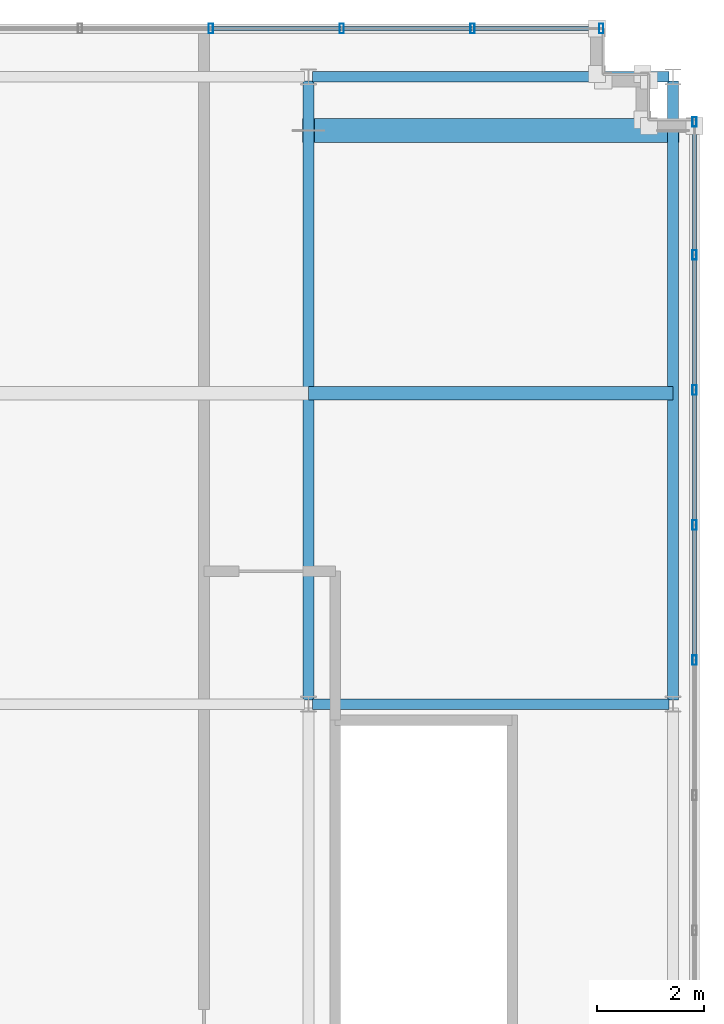
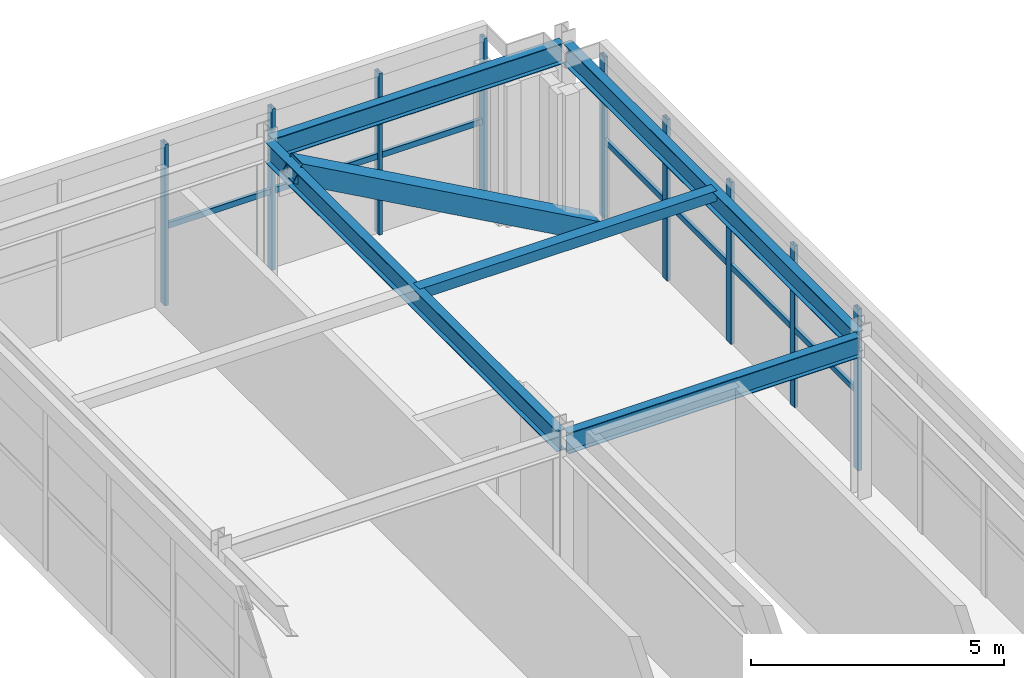
# One storey, part 17 of 25: 18 members, 4 beams, 2 elements without a shape of their own.
"""IFC4 building model written with IfcOpenShell, lengths in metres."""

from ifc_helpers import new_model, si_unit, direction, frame, origin, origin_2d, place, context, subcontext, project, spatial, hollow_rectangle, i_section, extrude, source, transform, mapped, material, material_profile, profile_set, type_object, element, aggregate, save


model = new_model("IFC4")

# Units and contexts
model_context = context("Model", 3, precision=1e-05, world=origin(), true_north=direction((0.0, 1.0)))
body_context = subcontext(model_context, "Body", "Model", "MODEL_VIEW")
ifc_project = project(units=[si_unit("LENGTHUNIT", "METRE"), si_unit("AREAUNIT", "SQUARE_METRE"), si_unit("VOLUMEUNIT", "CUBIC_METRE"), si_unit("PLANEANGLEUNIT", "RADIAN"), si_unit("MASSUNIT", "GRAM", prefix="KILO")], contexts=[model_context])

# Site, building, storey
site_placement = place(None, origin())
site = spatial("IfcSite", under=ifc_project, at=site_placement, CompositionType="ELEMENT")
building_placement = place(site_placement, origin())
building = spatial("IfcBuilding", under=site, at=building_placement, Name="Trelvane Seafront Commons", CompositionType="ELEMENT")
storey_placement = place(building_placement, frame((0.0, 0.0, 320.89990234375)))
storey = spatial("IfcBuildingStorey", under=building, at=storey_placement, Name="L83", CompositionType="ELEMENT", Elevation=320.89990234375)

# Beams
ifc_material_1 = material(Name="Steel SM355 (S355)", Category="steel")
ifc_material_profile_1 = material_profile(ifc_material_1, i_section(OverallWidth=0.199951171875, OverallDepth=0.5, WebThickness=0.010009765625, FlangeThickness=0.01611328125, at=origin_2d()), Name="H-500x200x10x16")
ifc_profile_set_1 = profile_set([ifc_material_profile_1], Name="Steel SM355 (S355)")
beam_type_1 = type_object("IfcBeamType", Name="STR-CROWN-FRAME-RING", PredefinedType="SPANDREL", material=ifc_profile_set_1)
shared_shape_1 = source(origin(), body_context, "Body", "SweptSolid", [
    extrude(i_section(OverallWidth=0.199951171875, OverallDepth=0.5, WebThickness=0.010009765625, FlangeThickness=0.01611328125, at=origin_2d()), origin(), (0.0, 0.0, 1.0), 6.64990234375),
])
for number, where, z_axis, x_axis, name in (
    (1, (58.875, 33.39990234375, 3.650146484375), (1.0, 0.0, 0.0), (0.0, 1.0, 0.0), "L83 CROWN FRAME Ring Beam G-08"),
    (2, (58.875, 45.10009765625, 3.650146484375), (1.0, 0.0, 0.0), (0.0, 1.0, 0.0), "L83 CROWN FRAME Ring Beam G-12"),
):
    element("IfcBeam", number, at=place(storey_placement, frame(where, z_axis=z_axis, x_axis=x_axis)), inside=storey, type_object=beam_type_1, Name=name, PredefinedType="SPANDREL", context=body_context, shape_type="MappedRepresentation", body=[
        mapped(shared_shape_1, transform((0.0, 0.0, 0.0), x_axis=(1.0, 0.0, 0.0), y_axis=(0.0, 1.0, 0.0), z_axis=(0.0, 0.0, 1.0), scale=1.0)),
    ])
ifc_material_profile_2 = material_profile(ifc_material_1, i_section(OverallWidth=0.199951171875, OverallDepth=0.5, WebThickness=0.010009765625, FlangeThickness=0.01611328125, at=origin_2d()), Name="H-500x200x10x16")
ifc_profile_set_2 = profile_set([ifc_material_profile_2], Name="Steel SM355 (S355)")
beam_type_2 = type_object("IfcBeamType", Name="STR-BM-H500", PredefinedType="BEAM", material=ifc_profile_set_2)
shared_shape_2 = source(origin(), body_context, "Body", "SweptSolid", [
    extrude(i_section(OverallWidth=0.199951171875, OverallDepth=0.5, WebThickness=0.010009765625, FlangeThickness=0.01611328125, at=origin_2d()), origin(), (0.0, 0.0, 1.0), 11.5498046875),
])
for number, where, z_axis, x_axis, name in (
    (3, (58.800048828125, 33.47509765625, 3.650146484375), (0.0, 1.0, 0.0), (-1.0, 0.0, 0.0), "L83 Primary Girder G-22"),
    (4, (65.60009765625, 33.47509765625, 3.650146484375), (0.0, 1.0, 0.0), (-1.0, 0.0, 0.0), "L83 Primary Girder G-24"),
):
    element("IfcBeam", number, at=place(storey_placement, frame(where, z_axis=z_axis, x_axis=x_axis)), inside=storey, type_object=beam_type_2, Name=name, PredefinedType="BEAM", context=body_context, shape_type="MappedRepresentation", body=[
        mapped(shared_shape_2, transform((0.0, 0.0, 0.0), x_axis=(1.0, 0.0, 0.0), y_axis=(0.0, 1.0, 0.0), z_axis=(0.0, 0.0, 1.0), scale=1.0)),
    ])

# Members
ifc_material_profile_3 = material_profile(ifc_material_1, hollow_rectangle(XDim=0.25, YDim=0.25, WallThickness=0.010009765625, at=origin_2d()), Name="RHS-250x250x10")
ifc_profile_set_3 = profile_set([ifc_material_profile_3], Name="Steel SM355 (S355)")
member_type_1 = type_object("IfcMemberType", Name="STR-PUR-RHS250", PredefinedType="PURLIN", material=ifc_profile_set_3)
shared_shape_3 = source(origin(), body_context, "Body", "SweptSolid", [
    extrude(hollow_rectangle(XDim=0.25, YDim=0.25, WallThickness=0.010009765625, at=origin_2d()), origin(), (0.0, 0.0, 1.0), 6.800048828125),
])
member_1_placement = place(storey_placement, frame((58.800048828125, 39.199951171875, 3.775146484375), z_axis=(1.0, 0.0, 0.0), x_axis=(0.0, 1.0, 0.0)))
element("IfcMember", 5, at=member_1_placement, inside=storey, type_object=member_type_1, Name="L83 Crown Roof Purlin PR-1", PredefinedType="PURLIN", context=body_context, shape_type="MappedRepresentation", body=[
    mapped(shared_shape_3, transform((0.0, 0.0, 0.0), x_axis=(1.0, 0.0, 0.0), y_axis=(0.0, 1.0, 0.0), z_axis=(0.0, 0.0, 1.0), scale=1.0)),
])
ifc_material_profile_4 = material_profile(ifc_material_1, hollow_rectangle(XDim=0.449951171875, YDim=0.449951171875, WallThickness=0.02001953125, at=origin_2d()), Name="RHS-450x450x20")
ifc_profile_set_4 = profile_set([ifc_material_profile_4], Name="Steel SM355 (S355)")
member_type_2 = type_object("IfcMemberType", Name="STR-BRC-RHS450", PredefinedType="BRACE", material=ifc_profile_set_4)
shared_shape_4 = source(origin(), body_context, "Body", "SweptSolid", [
    extrude(hollow_rectangle(XDim=0.449951171875, YDim=0.449951171875, WallThickness=0.02001953125, at=origin_2d()), origin(), (0.0, 0.0, 1.0), 7.780029296875),
])
member_2_placement = place(storey_placement, frame((65.60009765625, 44.10009765625, 0.0), z_axis=(-0.874035872135, 0.0, 0.485861394043), x_axis=(0.0, -1.0, 0.0)))
element("IfcMember", 6, at=member_2_placement, inside=storey, type_object=member_type_2, Name="L83 CROWN FRAME Diagonal Brace CE", PredefinedType="BRACE", context=body_context, shape_type="MappedRepresentation", body=[
    mapped(shared_shape_4, transform((0.0, 0.0, 0.0), x_axis=(1.0, 0.0, 0.0), y_axis=(0.0, 1.0, 0.0), z_axis=(0.0, 0.0, 1.0), scale=1.0)),
])

# Curtain wall, members
ifc_material_2 = material(Name="Anodised pale-silver aluminium", Category="aluminium")
curtain_wall_type = type_object("IfcCurtainWallType", Name="ARCH-CW6-CROWN", PredefinedType="NOTDEFINED", material=ifc_material_2)
curtain_wall_1_placement = place(storey_placement, origin())
curtain_wall_1 = element("IfcCurtainWall", 7, at=curtain_wall_1_placement, inside=storey, type_object=curtain_wall_type, Name="CW-L83-0165", PredefinedType="NOTDEFINED")
ifc_material_profile_5 = material_profile(ifc_material_2, hollow_rectangle(XDim=0.080078125, YDim=0.179931640625, WallThickness=0.00439453125, at=origin_2d()), Name="MULL-80x180x4.5")
ifc_profile_set_5 = profile_set([ifc_material_profile_5], Name="Anodised pale-silver aluminium")
member_type_3 = type_object("IfcMemberType", Name="ARCH-CW-MULL-180", PredefinedType="MULLION", material=ifc_profile_set_5)
shared_shape_5 = source(origin(), body_context, "Body", "SweptSolid", [
    extrude(hollow_rectangle(XDim=0.080078125, YDim=0.179931640625, WallThickness=0.00439453125, at=origin_2d()), origin(), (0.0, 0.0, 1.0), 3.900146484375),
])
member_3_placement = place(storey_placement, frame((56.97998046875, 46.0, 0.0), z_axis=(0.0, 0.0, 1.0), x_axis=(1.0, 0.0, 0.0)))
member_3 = element("IfcMember", 8, at=member_3_placement, type_object=member_type_3, Name="CW-L83-0165-M02", PredefinedType="MULLION", context=body_context, shape_type="MappedRepresentation", body=[
    mapped(shared_shape_5, transform((0.0, 0.0, 0.0), x_axis=(1.0, 0.0, 0.0), y_axis=(0.0, 1.0, 0.0), z_axis=(0.0, 0.0, 1.0), scale=1.0)),
])
member_4_placement = place(storey_placement, frame((59.419921875, 46.0, 0.0), z_axis=(0.0, 0.0, 1.0), x_axis=(1.0, 0.0, 0.0)))
member_4 = element("IfcMember", 9, at=member_4_placement, type_object=member_type_3, Name="CW-L83-0165-M03", PredefinedType="MULLION", context=body_context, shape_type="MappedRepresentation", body=[
    mapped(shared_shape_5, transform((0.0, 0.0, 0.0), x_axis=(1.0, 0.0, 0.0), y_axis=(0.0, 1.0, 0.0), z_axis=(0.0, 0.0, 1.0), scale=1.0)),
])
member_5_placement = place(storey_placement, frame((61.860107421875, 46.0, 0.0), z_axis=(0.0, 0.0, 1.0), x_axis=(1.0, 0.0, 0.0)))
member_5 = element("IfcMember", 10, at=member_5_placement, type_object=member_type_3, Name="CW-L83-0165-M04", PredefinedType="MULLION", context=body_context, shape_type="MappedRepresentation", body=[
    mapped(shared_shape_5, transform((0.0, 0.0, 0.0), x_axis=(1.0, 0.0, 0.0), y_axis=(0.0, 1.0, 0.0), z_axis=(0.0, 0.0, 1.0), scale=1.0)),
])
member_6_placement = place(storey_placement, frame((64.260009765625, 46.0, 0.0), z_axis=(0.0, 0.0, 1.0), x_axis=(1.0, 0.0, 0.0)))
member_6 = element("IfcMember", 11, at=member_6_placement, type_object=member_type_3, Name="CW-L83-0165-M05", PredefinedType="MULLION", context=body_context, shape_type="MappedRepresentation", body=[
    mapped(shared_shape_5, transform((0.0, 0.0, 0.0), x_axis=(1.0, 0.0, 0.0), y_axis=(0.0, 1.0, 0.0), z_axis=(0.0, 0.0, 1.0), scale=1.0)),
])

curtain_wall_2_placement = place(storey_placement, origin())
curtain_wall_2 = element("IfcCurtainWall", 12, at=curtain_wall_2_placement, inside=storey, type_object=curtain_wall_type, Name="CW-L83-0166", PredefinedType="NOTDEFINED")
member_7_placement = place(storey_placement, frame((66.0, 44.260009765625, 0.0), z_axis=(0.0, 0.0, 1.0), x_axis=(1.0, 0.0, 0.0)))
member_7 = element("IfcMember", 13, at=member_7_placement, type_object=member_type_3, Name="CW-L83-0166-M00", PredefinedType="MULLION", context=body_context, shape_type="MappedRepresentation", body=[
    mapped(shared_shape_5, transform((0.0, 0.0, 0.0), x_axis=(1.0, 0.0, 0.0), y_axis=(0.0, 1.0, 0.0), z_axis=(0.0, 0.0, 1.0), scale=1.0)),
])
member_8_placement = place(storey_placement, frame((66.0, 41.780029296875, 0.0), z_axis=(0.0, 0.0, 1.0), x_axis=(1.0, 0.0, 0.0)))
member_8 = element("IfcMember", 14, at=member_8_placement, type_object=member_type_3, Name="CW-L83-0166-M01", PredefinedType="MULLION", context=body_context, shape_type="MappedRepresentation", body=[
    mapped(shared_shape_5, transform((0.0, 0.0, 0.0), x_axis=(1.0, 0.0, 0.0), y_axis=(0.0, 1.0, 0.0), z_axis=(0.0, 0.0, 1.0), scale=1.0)),
])
member_9_placement = place(storey_placement, frame((66.0, 39.260009765625, 0.0), z_axis=(0.0, 0.0, 1.0), x_axis=(1.0, 0.0, 0.0)))
member_9 = element("IfcMember", 15, at=member_9_placement, type_object=member_type_3, Name="CW-L83-0166-M02", PredefinedType="MULLION", context=body_context, shape_type="MappedRepresentation", body=[
    mapped(shared_shape_5, transform((0.0, 0.0, 0.0), x_axis=(1.0, 0.0, 0.0), y_axis=(0.0, 1.0, 0.0), z_axis=(0.0, 0.0, 1.0), scale=1.0)),
])
member_10_placement = place(storey_placement, frame((66.0, 36.739990234375, 0.0), z_axis=(0.0, 0.0, 1.0), x_axis=(1.0, 0.0, 0.0)))
member_10 = element("IfcMember", 16, at=member_10_placement, type_object=member_type_3, Name="CW-L83-0166-M03", PredefinedType="MULLION", context=body_context, shape_type="MappedRepresentation", body=[
    mapped(shared_shape_5, transform((0.0, 0.0, 0.0), x_axis=(1.0, 0.0, 0.0), y_axis=(0.0, 1.0, 0.0), z_axis=(0.0, 0.0, 1.0), scale=1.0)),
])
member_11_placement = place(storey_placement, frame((66.0, 34.219970703125, 0.0), z_axis=(0.0, 0.0, 1.0), x_axis=(1.0, 0.0, 0.0)))
member_11 = element("IfcMember", 17, at=member_11_placement, type_object=member_type_3, Name="CW-L83-0166-M04", PredefinedType="MULLION", context=body_context, shape_type="MappedRepresentation", body=[
    mapped(shared_shape_5, transform((0.0, 0.0, 0.0), x_axis=(1.0, 0.0, 0.0), y_axis=(0.0, 1.0, 0.0), z_axis=(0.0, 0.0, 1.0), scale=1.0)),
])
ifc_material_profile_6 = material_profile(ifc_material_2, hollow_rectangle(XDim=0.074951171875, YDim=0.139892578125, WallThickness=0.00390625, at=origin_2d()), Name="TRAN-75x140x4")
ifc_profile_set_6 = profile_set([ifc_material_profile_6], Name="Anodised pale-silver aluminium")
member_type_4 = type_object("IfcMemberType", Name="ARCH-CW-TRAN-140", PredefinedType="USERDEFINED", material=ifc_profile_set_6)
shared_shape_6 = source(origin(), body_context, "Body", "SweptSolid", [
    extrude(hollow_rectangle(XDim=0.074951171875, YDim=0.139892578125, WallThickness=0.00390625, at=origin_2d()), origin(), (0.0, 0.0, 1.0), 2.49609375),
])
member_12_placement = place(storey_placement, frame((66.0, 44.2880859375, 1.8720703125), z_axis=(0.0, -1.0, 0.0), x_axis=(1.0, 0.0, 0.0)))
member_12 = element("IfcMember", 18, at=member_12_placement, type_object=member_type_4, Name="CW-L83-0166-T00", ObjectType="TRANSOM", PredefinedType="USERDEFINED", context=body_context, shape_type="MappedRepresentation", body=[
    mapped(shared_shape_6, transform((0.0, 0.0, 0.0), x_axis=(1.0, 0.0, 0.0), y_axis=(0.0, 1.0, 0.0), z_axis=(0.0, 0.0, 1.0), scale=1.0)),
])
member_13_placement = place(storey_placement, frame((66.0, 41.76806640625, 1.8720703125), z_axis=(0.0, -1.0, 0.0), x_axis=(1.0, 0.0, 0.0)))
member_13 = element("IfcMember", 19, at=member_13_placement, type_object=member_type_4, Name="CW-L83-0166-T01", ObjectType="TRANSOM", PredefinedType="USERDEFINED", context=body_context, shape_type="MappedRepresentation", body=[
    mapped(shared_shape_6, transform((0.0, 0.0, 0.0), x_axis=(1.0, 0.0, 0.0), y_axis=(0.0, 1.0, 0.0), z_axis=(0.0, 0.0, 1.0), scale=1.0)),
])
member_14_placement = place(storey_placement, frame((66.0, 39.248046875, 1.8720703125), z_axis=(0.0, -1.0, 0.0), x_axis=(1.0, 0.0, 0.0)))
member_14 = element("IfcMember", 20, at=member_14_placement, type_object=member_type_4, Name="CW-L83-0166-T02", ObjectType="TRANSOM", PredefinedType="USERDEFINED", context=body_context, shape_type="MappedRepresentation", body=[
    mapped(shared_shape_6, transform((0.0, 0.0, 0.0), x_axis=(1.0, 0.0, 0.0), y_axis=(0.0, 1.0, 0.0), z_axis=(0.0, 0.0, 1.0), scale=1.0)),
])
member_15_placement = place(storey_placement, frame((66.0, 36.72802734375, 1.8720703125), z_axis=(0.0, -1.0, 0.0), x_axis=(1.0, 0.0, 0.0)))
member_15 = element("IfcMember", 21, at=member_15_placement, type_object=member_type_4, Name="CW-L83-0166-T03", ObjectType="TRANSOM", PredefinedType="USERDEFINED", context=body_context, shape_type="MappedRepresentation", body=[
    mapped(shared_shape_6, transform((0.0, 0.0, 0.0), x_axis=(1.0, 0.0, 0.0), y_axis=(0.0, 1.0, 0.0), z_axis=(0.0, 0.0, 1.0), scale=1.0)),
])
aggregate(curtain_wall_2, [member_7, member_8, member_9, member_10, member_11, member_12, member_13, member_14, member_15])

# Member
shared_shape_7 = source(origin(), body_context, "Body", "SweptSolid", [
    extrude(hollow_rectangle(XDim=0.074951171875, YDim=0.139892578125, WallThickness=0.00390625, at=origin_2d()), origin(), (0.0, 0.0, 1.0), 2.416015625),
])
member_16_placement = place(storey_placement, frame((56.991943359375, 46.0, 1.8720703125), z_axis=(1.0, 0.0, 0.0), x_axis=(0.0, 1.0, 0.0)))
member_16 = element("IfcMember", 22, at=member_16_placement, type_object=member_type_4, Name="CW-L83-0165-T02", ObjectType="TRANSOM", PredefinedType="USERDEFINED", context=body_context, shape_type="MappedRepresentation", body=[
    mapped(shared_shape_7, transform((0.0, 0.0, 0.0), x_axis=(1.0, 0.0, 0.0), y_axis=(0.0, 1.0, 0.0), z_axis=(0.0, 0.0, 1.0), scale=1.0)),
])

member_17_placement = place(storey_placement, frame((59.431884765625, 46.0, 1.8720703125), z_axis=(1.0, 0.0, 0.0), x_axis=(0.0, 1.0, 0.0)))
member_17 = element("IfcMember", 23, at=member_17_placement, type_object=member_type_4, Name="CW-L83-0165-T03", ObjectType="TRANSOM", PredefinedType="USERDEFINED", context=body_context, shape_type="MappedRepresentation", body=[
    mapped(shared_shape_7, transform((0.0, 0.0, 0.0), x_axis=(1.0, 0.0, 0.0), y_axis=(0.0, 1.0, 0.0), z_axis=(0.0, 0.0, 1.0), scale=1.0)),
])

member_18_placement = place(storey_placement, frame((61.8720703125, 46.0, 1.8720703125), z_axis=(1.0, 0.0, 0.0), x_axis=(0.0, 1.0, 0.0)))
member_18 = element("IfcMember", 24, at=member_18_placement, type_object=member_type_4, Name="CW-L83-0165-T04", ObjectType="TRANSOM", PredefinedType="USERDEFINED", context=body_context, shape_type="MappedRepresentation", body=[
    mapped(shared_shape_7, transform((0.0, 0.0, 0.0), x_axis=(1.0, 0.0, 0.0), y_axis=(0.0, 1.0, 0.0), z_axis=(0.0, 0.0, 1.0), scale=1.0)),
])

aggregate(curtain_wall_1, [member_3, member_4, member_5, member_6, member_16, member_17, member_18])

save(model, "model.ifc")
